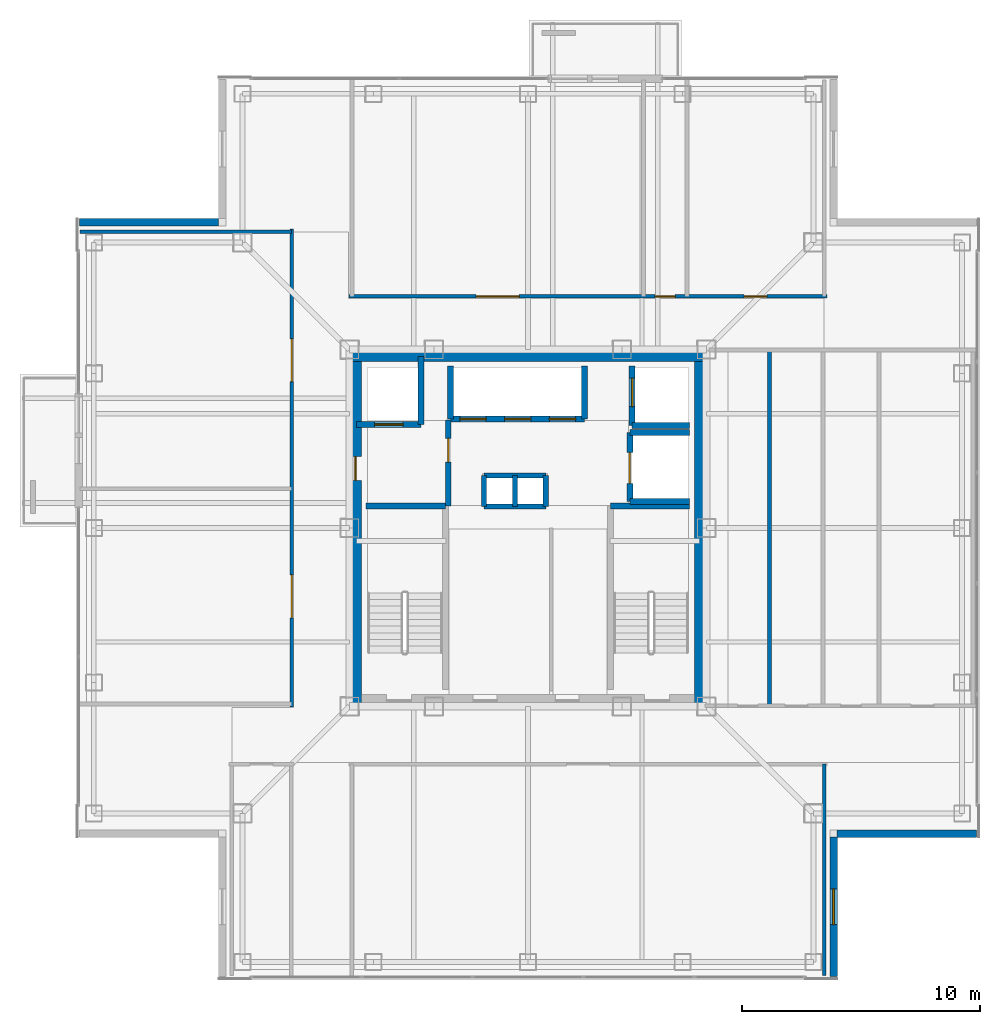
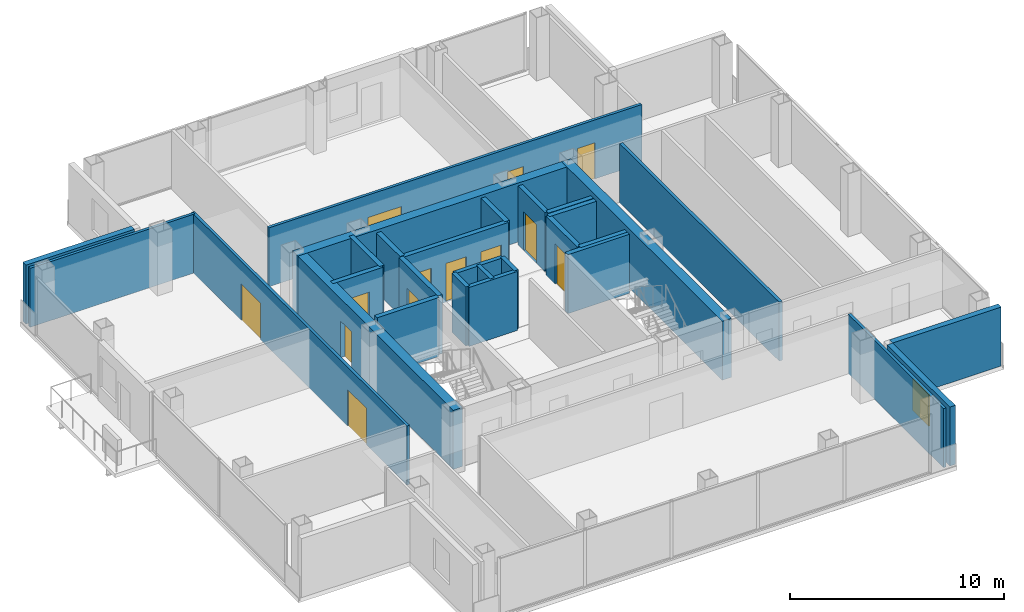
# One storey, part 9 of 13: 29 walls, 13 doors, 1 window, 14 openings.
"""IFC4 building model written with IfcOpenShell, lengths in metres."""

from ifc_helpers import new_model, si_unit, direction, frame, frame_2d, origin, place, context, subcontext, project, spatial, rectangle, extrude, material, layer, layer_set, type_object, element, fill, save


model = new_model("IFC4")

# Units and contexts
model_context = context("Model", 3, precision=1e-05, world=origin(), true_north=direction((0.0, 1.0)))
body_context = subcontext(model_context, "Body", "Model", "MODEL_VIEW")
ifc_project = project(units=[si_unit("LENGTHUNIT", "METRE"), si_unit("AREAUNIT", "SQUARE_METRE"), si_unit("VOLUMEUNIT", "CUBIC_METRE"), si_unit("PLANEANGLEUNIT", "RADIAN"), si_unit("MASSUNIT", "GRAM", prefix="KILO")], contexts=[model_context])

# Site, building, storey
site_placement = place(None, origin())
site = spatial("IfcSite", under=ifc_project, at=site_placement, CompositionType="ELEMENT")
building_placement = place(site_placement, origin())
building = spatial("IfcBuilding", under=site, at=building_placement, Name="Trevonay Congress Spire", CompositionType="ELEMENT")
storey_placement = place(building_placement, frame((0.0, 0.0, 254.0)))
storey = spatial("IfcBuildingStorey", under=building, at=storey_placement, Name="L66", CompositionType="ELEMENT", Elevation=254.0)

# Wall
ifc_material_1 = material(Name="Concrete C50/60", Category="concrete")
ifc_layer_1 = layer(ifc_material_1, 0.5, Name="Concrete C50/60")
ifc_layer_set_1 = layer_set([ifc_layer_1], Name="Concrete C50/60")
wall_type_1 = type_object("IfcWallType", Name="WAL-CORE-500", PredefinedType="SHEAR", material=ifc_layer_set_1)
wall_1_placement = place(storey_placement, frame((-7.5, 7.25, 0.0), z_axis=(0.0, 0.0, 1.0), x_axis=(1.0, 0.0, 0.0)))
element("IfcWall", 1, at=wall_1_placement, inside=storey, type_object=wall_type_1, Name="L66 North structural core shear wall", PredefinedType="SHEAR", context=body_context, shape_type="SweptSolid", body=[
    extrude(rectangle(XDim=15.0, YDim=0.5, at=frame_2d((7.5, 0.0))), origin(), (0.0, 0.0, 1.0), 3.360107421875),
])

# Wall, opening, door
wall_2_placement = place(storey_placement, frame((-7.25, -7.5, 0.0), z_axis=(0.0, 0.0, 1.0), x_axis=(0.0, 1.0, 0.0)))
wall_2 = element("IfcWall", 2, at=wall_2_placement, inside=storey, type_object=wall_type_1, Name="L66 West structural core shear wall", PredefinedType="SHEAR", context=body_context, shape_type="SweptSolid", body=[
    extrude(rectangle(XDim=15.0, YDim=0.5, at=frame_2d((7.5, 0.0))), origin(), (0.0, 0.0, 1.0), 3.360107421875),
])
opening_1_placement = place(wall_2_placement, frame((9.5, 0.0, 0.0)))
opening_1 = element("IfcOpeningElement", 3, at=opening_1_placement, cuts=wall_2, Name="Opening D06", PredefinedType="OPENING", context=body_context, shape_type="SweptSolid", body=[
    extrude(rectangle(XDim=1.0, YDim=2.080078125, at=frame_2d((0.5, 1.0400390625))), frame((0.0, 0.260009765625, 0.0), z_axis=(0.0, -1.0, 0.0), x_axis=(1.0, 0.0, 0.0)), (0.0, 0.0, 1.0), 0.52001953125),
])
ifc_material_2 = material(Name="Steel ASTM A572 Grade 50", Category="steel")
door_type_1 = type_object("IfcDoorType", Name="DOR-FIRE-100", OperationType="NOTDEFINED", PredefinedType="DOOR", material=ifc_material_2)
door_1_placement = place(opening_1_placement, origin())
door_1 = element("IfcDoor", 4, at=door_1_placement, inside=storey, type_object=door_type_1, Name="L66 Firefighting Lift Lobby West Corridor Door", OperationType="SINGLE_SWING_LEFT", OverallHeight=2.080078125, OverallWidth=1.0, PredefinedType="DOOR", context=body_context, shape_type="SweptSolid", body=[
    extrude(rectangle(XDim=1.0, YDim=2.080078125, at=frame_2d((0.5, 1.0400390625))), frame((0.0, 0.02490234375, 0.0), z_axis=(0.0, -1.0, 0.0), x_axis=(1.0, 0.0, 0.0)), (0.0, 0.0, 1.0), 0.050048828125),
])
fill(opening_1, door_1)

# Wall
wall_3_placement = place(storey_placement, frame((7.25, -7.5, 0.0), z_axis=(0.0, 0.0, 1.0), x_axis=(0.0, 1.0, 0.0)))
element("IfcWall", 5, at=wall_3_placement, inside=storey, type_object=wall_type_1, Name="L66 East structural core shear wall", PredefinedType="SHEAR", context=body_context, shape_type="SweptSolid", body=[
    extrude(rectangle(XDim=15.0, YDim=0.5, at=frame_2d((7.5, 0.0))), origin(), (0.0, 0.0, 1.0), 3.360107421875),
])

# Wall, openings, doors
ifc_material_3 = material(Name="Concrete C40/50", Category="concrete")
ifc_layer_2 = layer(ifc_material_3, 0.14990234375, Name="Concrete C40/50")
ifc_layer_set_2 = layer_set([ifc_layer_2], Name="Concrete C40/50")
wall_type_2 = type_object("IfcWallType", Name="WAL-CORR-150", PredefinedType="PARTITIONING", material=ifc_layer_set_2)
wall_4_placement = place(storey_placement, frame((-9.929931640625, -7.52001953125, 0.0), z_axis=(0.0, 0.0, 1.0), x_axis=(0.0, 1.0, 0.0)))
wall_4 = element("IfcWall", 6, at=wall_4_placement, inside=storey, type_object=wall_type_2, Name="L66 interior wall WP-L66NW-COR", PredefinedType="PARTITIONING", context=body_context, shape_type="SweptSolid", body=[
    extrude(rectangle(XDim=20.090087890625, YDim=0.14990234375, at=frame_2d((10.044921875, 0.0))), origin(), (0.0, 0.0, 1.0), 3.360107421875),
])
opening_2_placement = place(wall_4_placement, frame((3.7451171875, 0.0, 0.0)))
opening_2 = element("IfcOpeningElement", 7, at=opening_2_placement, cuts=wall_4, Name="Opening D09", PredefinedType="OPENING", context=body_context, shape_type="SweptSolid", body=[
    extrude(rectangle(XDim=1.800048828125, YDim=2.080078125, at=frame_2d((0.89990234375, 1.0400390625))), frame((0.0, 0.0849609375, 0.0), z_axis=(0.0, -1.0, 0.0), x_axis=(1.0, 0.0, 0.0)), (0.0, 0.0, 1.0), 0.169921875),
])
opening_3_placement = place(wall_4_placement, frame((13.669921875, 0.0, 0.0)))
opening_3 = element("IfcOpeningElement", 8, at=opening_3_placement, cuts=wall_4, Name="Opening D09", PredefinedType="OPENING", context=body_context, shape_type="SweptSolid", body=[
    extrude(rectangle(XDim=1.800048828125, YDim=2.080078125, at=frame_2d((0.89990234375, 1.0400390625))), frame((0.0, 0.0849609375, 0.0), z_axis=(0.0, -1.0, 0.0), x_axis=(1.0, 0.0, 0.0)), (0.0, 0.0, 1.0), 0.169921875),
])
ifc_material_4 = material(Name="Pale Anodised Aluminium EN AW-6063-T6", Category="aluminium")
door_type_2 = type_object("IfcDoorType", Name="DOR-CONF-DBL", OperationType="DOUBLE_DOOR_SINGLE_SWING", PredefinedType="DOOR", material=ifc_material_4)
door_2_placement = place(opening_2_placement, origin())
door_2 = element("IfcDoor", 9, at=door_2_placement, inside=storey, type_object=door_type_2, Name="L66 State Culinary Hot Kitchen Door", OperationType="DOUBLE_DOOR_SINGLE_SWING", OverallHeight=2.080078125, OverallWidth=1.800048828125, PredefinedType="DOOR", context=body_context, shape_type="SweptSolid", body=[
    extrude(rectangle(XDim=1.800048828125, YDim=2.080078125, at=frame_2d((0.89990234375, 1.0400390625))), frame((0.0, 0.02490234375, 0.0), z_axis=(0.0, -1.0, 0.0), x_axis=(1.0, 0.0, 0.0)), (0.0, 0.0, 1.0), 0.050048828125),
])
fill(opening_2, door_2)
door_3_placement = place(opening_3_placement, origin())
door_3 = element("IfcDoor", 10, at=door_3_placement, inside=storey, type_object=door_type_2, Name="L66 Cold Larder and Bakery Kitchen Door", OperationType="DOUBLE_DOOR_SINGLE_SWING", OverallHeight=2.080078125, OverallWidth=1.800048828125, PredefinedType="DOOR", context=body_context, shape_type="SweptSolid", body=[
    extrude(rectangle(XDim=1.800048828125, YDim=2.080078125, at=frame_2d((0.89990234375, 1.0400390625))), frame((0.0, 0.02490234375, 0.0), z_axis=(0.0, -1.0, 0.0), x_axis=(1.0, 0.0, 0.0)), (0.0, 0.0, 1.0), 0.050048828125),
])
fill(opening_3, door_3)

wall_5_placement = place(storey_placement, frame((-7.52001953125, 9.72998046875, 0.0), z_axis=(0.0, 0.0, 1.0), x_axis=(1.0, 0.0, 0.0)))
wall_5 = element("IfcWall", 11, at=wall_5_placement, inside=storey, type_object=wall_type_2, Name="L66 interior wall WP-L66N-COR", PredefinedType="PARTITIONING", context=body_context, shape_type="SweptSolid", body=[
    extrude(rectangle(XDim=20.090087890625, YDim=0.14990234375, at=frame_2d((10.044921875, 0.0))), origin(), (0.0, 0.0, 1.0), 3.360107421875),
])
opening_4_placement = place(wall_5_placement, frame((5.344970703125, 0.0, 0.0)))
opening_4 = element("IfcOpeningElement", 12, at=opening_4_placement, cuts=wall_5, Name="Opening D09", PredefinedType="OPENING", context=body_context, shape_type="SweptSolid", body=[
    extrude(rectangle(XDim=1.800048828125, YDim=2.080078125, at=frame_2d((0.89990234375, 1.0400390625))), frame((0.0, 0.0849609375, 0.0), z_axis=(0.0, -1.0, 0.0), x_axis=(1.0, 0.0, 0.0)), (0.0, 0.0, 1.0), 0.169921875),
])
opening_5_placement = place(wall_5_placement, frame((12.860107421875, 0.0, 0.0)))
opening_5 = element("IfcOpeningElement", 13, at=opening_5_placement, cuts=wall_5, Name="Opening D10", PredefinedType="OPENING", context=body_context, shape_type="SweptSolid", body=[
    extrude(rectangle(XDim=0.85009765625, YDim=2.050048828125, at=frame_2d((0.425048828125, 1.02490234375))), frame((0.0, 0.0849609375, 0.0), z_axis=(0.0, -1.0, 0.0), x_axis=(1.0, 0.0, 0.0)), (0.0, 0.0, 1.0), 0.169921875),
])
opening_6_placement = place(wall_5_placement, frame((16.610107421875, 0.0, 0.0)))
opening_6 = element("IfcOpeningElement", 14, at=opening_6_placement, cuts=wall_5, Name="Opening D07", PredefinedType="OPENING", context=body_context, shape_type="SweptSolid", body=[
    extrude(rectangle(XDim=0.949951171875, YDim=2.06005859375, at=frame_2d((0.47509765625, 1.030029296875))), frame((0.0, 0.0849609375, 0.0), z_axis=(0.0, -1.0, 0.0), x_axis=(1.0, 0.0, 0.0)), (0.0, 0.0, 1.0), 0.169921875),
])
door_4_placement = place(opening_4_placement, origin())
door_4 = element("IfcDoor", 15, at=door_4_placement, inside=storey, type_object=door_type_2, Name="L66 Sky Cocktail Lounge Bar Door", OperationType="DOUBLE_DOOR_SINGLE_SWING", OverallHeight=2.080078125, OverallWidth=1.800048828125, PredefinedType="DOOR", context=body_context, shape_type="SweptSolid", body=[
    extrude(rectangle(XDim=1.800048828125, YDim=2.080078125, at=frame_2d((0.89990234375, 1.0400390625))), frame((0.0, 0.02490234375, 0.0), z_axis=(0.0, -1.0, 0.0), x_axis=(1.0, 0.0, 0.0)), (0.0, 0.0, 1.0), 0.050048828125),
])
fill(opening_4, door_4)
door_type_3 = type_object("IfcDoorType", Name="DOR-OFFICE-95", OperationType="NOTDEFINED", PredefinedType="DOOR", material=ifc_material_4)
door_5_placement = place(opening_6_placement, origin())
door_5 = element("IfcDoor", 16, at=door_5_placement, inside=storey, type_object=door_type_3, Name="L66 Floor Supplies and Copy Room Door", OperationType="SINGLE_SWING_LEFT", OverallHeight=2.06005859375, OverallWidth=0.949951171875, PredefinedType="DOOR", context=body_context, shape_type="SweptSolid", body=[
    extrude(rectangle(XDim=0.949951171875, YDim=2.06005859375, at=frame_2d((0.47509765625, 1.030029296875))), frame((0.0, 0.02490234375, 0.0), z_axis=(0.0, -1.0, 0.0), x_axis=(1.0, 0.0, 0.0)), (0.0, 0.0, 1.0), 0.050048828125),
])
fill(opening_6, door_5)
door_type_4 = type_object("IfcDoorType", Name="DOR-WC-85", OperationType="NOTDEFINED", PredefinedType="DOOR", material=ifc_material_4)
door_6_placement = place(opening_5_placement, origin())
door_6 = element("IfcDoor", 17, at=door_6_placement, inside=storey, type_object=door_type_4, Name="L66 Accessible WC Door", OperationType="SINGLE_SWING_RIGHT", OverallHeight=2.050048828125, OverallWidth=0.85009765625, PredefinedType="DOOR", context=body_context, shape_type="SweptSolid", body=[
    extrude(rectangle(XDim=0.85009765625, YDim=2.050048828125, at=frame_2d((0.425048828125, 1.02490234375))), frame((0.0, 0.02490234375, 0.0), z_axis=(0.0, -1.0, 0.0), x_axis=(1.0, 0.0, 0.0)), (0.0, 0.0, 1.0), 0.050048828125),
])
fill(opening_5, door_6)

# Wall, opening, window
ifc_material_5 = material(Name="Precast concrete C40/50", Category="concrete")
ifc_layer_3 = layer(ifc_material_5, 0.300048828125, Name="Precast concrete C40/50")
ifc_layer_set_3 = layer_set([ifc_layer_3], Name="Precast concrete C40/50")
wall_type_3 = type_object("IfcWallType", Name="WAL-EXT-PRECAST-300", PredefinedType="SOLIDWALL", material=ifc_layer_set_3)
wall_6_placement = place(storey_placement, frame((12.85009765625, -18.85009765625, 0.0), z_axis=(0.0, 0.0, 1.0), x_axis=(0.0, 1.0, 0.0)))
wall_6 = element("IfcWall", 18, at=wall_6_placement, inside=storey, type_object=wall_type_3, Name="L66 SE re-entrant notch exterior wall 1", PredefinedType="SOLIDWALL", context=body_context, shape_type="SweptSolid", body=[
    extrude(rectangle(XDim=5.85009765625, YDim=0.300048828125, at=frame_2d((2.925048828125, 0.0))), origin(), (0.0, 0.0, 1.0), 3.360107421875),
])
opening_7_placement = place(wall_6_placement, frame((2.175048828125, 0.0, 0.89990234375)))
opening_7 = element("IfcOpeningElement", 19, at=opening_7_placement, cuts=wall_6, Name="Opening WN03", PredefinedType="OPENING", context=body_context, shape_type="SweptSolid", body=[
    extrude(rectangle(XDim=1.5, YDim=1.800048828125, at=frame_2d((0.75, 0.89990234375))), frame((0.0, 0.16015625, 0.0), z_axis=(0.0, -1.0, 0.0), x_axis=(1.0, 0.0, 0.0)), (0.0, 0.0, 1.0), 0.320068359375),
])
ifc_material_6 = material(Name="Insulated Low-E Vision Glass IGU", Category="glass")
window_type = type_object("IfcWindowType", Name="WIN-NOTCH-150X180", PartitioningType="SINGLE_PANEL", PredefinedType="WINDOW", material=ifc_material_6)
window_placement = place(opening_7_placement, origin())
window = element("IfcWindow", 20, at=window_placement, inside=storey, type_object=window_type, Name="L66 SE corner notch window", OverallHeight=1.800048828125, OverallWidth=1.5, PartitioningType="SINGLE_PANEL", PredefinedType="WINDOW", context=body_context, shape_type="SweptSolid", body=[
    extrude(rectangle(XDim=1.5, YDim=1.800048828125, at=frame_2d((0.75, 0.89990234375))), frame((0.0, 0.030029296875, 0.0), z_axis=(0.0, -1.0, 0.0), x_axis=(1.0, 0.0, 0.0)), (0.0, 0.0, 1.0), 0.06005859375),
])
fill(opening_7, window)

# Walls
for number, where, z_axis, x_axis, name in (
    (21, (18.85009765625, -12.85009765625, 0.0), (0.0, 0.0, 1.0), (-1.0, 0.0, 0.0), "L66 SE re-entrant notch exterior wall 2"),
    (22, (-18.85009765625, 12.85009765625, 0.0), (0.0, 0.0, 1.0), (1.0, 0.0, 0.0), "L66 NW re-entrant notch exterior wall 2"),
):
    element("IfcWall", number, at=place(storey_placement, frame(where, z_axis=z_axis, x_axis=x_axis)), inside=storey, type_object=wall_type_3, Name=name, PredefinedType="SOLIDWALL", context=body_context, shape_type="SweptSolid", body=[
        extrude(rectangle(XDim=5.85009765625, YDim=0.300048828125, at=frame_2d((2.925048828125, 0.0))), origin(), (0.0, 0.0, 1.0), 3.360107421875),
    ])
ifc_layer_4 = layer(ifc_material_3, 0.14990234375, Name="Concrete C40/50")
ifc_layer_set_4 = layer_set([ifc_layer_4], Name="Concrete C40/50")
wall_type_4 = type_object("IfcWallType", Name="WAL-PART-150", PredefinedType="PARTITIONING", material=ifc_layer_set_4)
for number, where, z_axis, x_axis, name in (
    (23, (12.449951171875, -18.820068359375, 0.0), (0.0, 0.0, 1.0), (0.0, 1.0, 0.0), "L66 interior wall WP-L66SE-DIV2"),
    (24, (-18.820068359375, 12.449951171875, 0.0), (0.0, 0.0, 1.0), (1.0, 0.0, 0.0), "L66 interior wall WP-L66NW-DIV3"),
):
    element("IfcWall", number, at=place(storey_placement, frame(where, z_axis=z_axis, x_axis=x_axis)), inside=storey, type_object=wall_type_4, Name=name, PredefinedType="PARTITIONING", context=body_context, shape_type="SweptSolid", body=[
        extrude(rectangle(XDim=8.89013671875, YDim=0.14990234375, at=frame_2d((4.445068359375, 0.0))), origin(), (0.0, 0.0, 1.0), 3.360107421875),
    ])
ifc_layer_5 = layer(ifc_material_3, 0.219970703125, Name="Concrete C40/50")
ifc_layer_set_5 = layer_set([ifc_layer_5], Name="Concrete C40/50")
wall_type_5 = type_object("IfcWallType", Name="WAL-SHAFT-220", PredefinedType="PARTITIONING", material=ifc_layer_set_5)
for number, where, z_axis, x_axis, name in (
    (25, (-1.85009765625, 2.199951171875, 0.0), (0.0, 0.0, 1.0), (1.0, 0.0, 0.0), "L66 interior shaft wall WSH-L66-RSR-N"),
    (26, (-1.85009765625, 0.89990234375, 0.0), (0.0, 0.0, 1.0), (1.0, 0.0, 0.0), "L66 interior shaft wall WSH-L66-RSR-S"),
):
    element("IfcWall", number, at=place(storey_placement, frame(where, z_axis=z_axis, x_axis=x_axis)), inside=storey, type_object=wall_type_5, Name=name, PredefinedType="PARTITIONING", context=body_context, shape_type="SweptSolid", body=[
        extrude(rectangle(XDim=2.60009765625, YDim=0.219970703125, at=frame_2d((1.300048828125, 0.0))), origin(), (0.0, 0.0, 1.0), 3.360107421875),
    ])
for number, where, z_axis, x_axis, name in (
    (27, (-0.550048828125, 0.89990234375, 0.0), (0.0, 0.0, 1.0), (0.0, 1.0, 0.0), "L66 interior shaft wall WSH-L66-RSR-M"),
    (28, (0.75, 0.89990234375, 0.0), (0.0, 0.0, 1.0), (0.0, 1.0, 0.0), "L66 interior shaft wall WSH-L66-RSR-E"),
    (29, (-1.85009765625, 0.89990234375, 0.0), (0.0, 0.0, 1.0), (0.0, 1.0, 0.0), "L66 interior shaft wall WSH-L66-RSR-W"),
):
    element("IfcWall", number, at=place(storey_placement, frame(where, z_axis=z_axis, x_axis=x_axis)), inside=storey, type_object=wall_type_5, Name=name, PredefinedType="PARTITIONING", context=body_context, shape_type="SweptSolid", body=[
        extrude(rectangle(XDim=1.300048828125, YDim=0.219970703125, at=frame_2d((0.64990234375, 0.0))), origin(), (0.0, 0.0, 1.0), 3.360107421875),
    ])

# Wall, openings, doors
ifc_layer_6 = layer(ifc_material_3, 0.25, Name="Concrete C40/50")
ifc_layer_set_6 = layer_set([ifc_layer_6], Name="Concrete C40/50")
wall_type_6 = type_object("IfcWallType", Name="WAL-SHAFT-250", PredefinedType="SHEAR", material=ifc_layer_set_6)
wall_7_placement = place(storey_placement, frame((-3.260009765625, 4.580078125, 0.0), z_axis=(0.0, 0.0, 1.0), x_axis=(1.0, 0.0, 0.0)))
wall_7 = element("IfcWall", 30, at=wall_7_placement, inside=storey, type_object=wall_type_6, Name="L66 interior shaft wall WSH-L66-B3-S", PredefinedType="SHEAR", context=body_context, shape_type="SweptSolid", body=[
    extrude(rectangle(XDim=5.639892578125, YDim=0.25, at=frame_2d((2.81982421875, 0.0))), origin(), (0.0, 0.0, 1.0), 3.360107421875),
])
opening_8_placement = place(wall_7_placement, frame((0.39990234375, 0.0, 0.0)))
opening_8 = element("IfcOpeningElement", 31, at=opening_8_placement, cuts=wall_7, Name="Opening LD03", PredefinedType="OPENING", context=body_context, shape_type="SweptSolid", body=[
    extrude(rectangle(XDim=1.10009765625, YDim=2.199951171875, at=frame_2d((0.550048828125, 1.10009765625))), frame((0.0, 0.135009765625, 0.0), z_axis=(0.0, -1.0, 0.0), x_axis=(1.0, 0.0, 0.0)), (0.0, 0.0, 1.0), 0.27001953125),
])
opening_9_placement = place(wall_7_placement, frame((2.280029296875, 0.0, 0.0)))
opening_9 = element("IfcOpeningElement", 32, at=opening_9_placement, cuts=wall_7, Name="Opening LD03", PredefinedType="OPENING", context=body_context, shape_type="SweptSolid", body=[
    extrude(rectangle(XDim=1.10009765625, YDim=2.199951171875, at=frame_2d((0.550048828125, 1.10009765625))), frame((0.0, 0.135009765625, 0.0), z_axis=(0.0, -1.0, 0.0), x_axis=(1.0, 0.0, 0.0)), (0.0, 0.0, 1.0), 0.27001953125),
])
opening_10_placement = place(wall_7_placement, frame((4.159912109375, 0.0, 0.0)))
opening_10 = element("IfcOpeningElement", 33, at=opening_10_placement, cuts=wall_7, Name="Opening LD03", PredefinedType="OPENING", context=body_context, shape_type="SweptSolid", body=[
    extrude(rectangle(XDim=1.10009765625, YDim=2.199951171875, at=frame_2d((0.550048828125, 1.10009765625))), frame((0.0, 0.135009765625, 0.0), z_axis=(0.0, -1.0, 0.0), x_axis=(1.0, 0.0, 0.0)), (0.0, 0.0, 1.0), 0.27001953125),
])
door_type_5 = type_object("IfcDoorType", Name="DOR-LIFT-LD03", OperationType="DOUBLE_DOOR_SLIDING", PredefinedType="DOOR", material=ifc_material_4)
door_7_placement = place(opening_8_placement, origin())
door_7 = element("IfcDoor", 34, at=door_7_placement, inside=storey, type_object=door_type_5, Name="L66 Passenger lift PL-07 landing door", OperationType="DOUBLE_DOOR_SLIDING", OverallHeight=2.199951171875, OverallWidth=1.10009765625, PredefinedType="DOOR", context=body_context, shape_type="SweptSolid", body=[
    extrude(rectangle(XDim=1.10009765625, YDim=2.199951171875, at=frame_2d((0.550048828125, 1.10009765625))), frame((0.0, 0.02490234375, 0.0), z_axis=(0.0, -1.0, 0.0), x_axis=(1.0, 0.0, 0.0)), (0.0, 0.0, 1.0), 0.050048828125),
])
fill(opening_8, door_7)
door_8_placement = place(opening_9_placement, origin())
door_8 = element("IfcDoor", 35, at=door_8_placement, inside=storey, type_object=door_type_5, Name="L66 Passenger lift PL-08 landing door", OperationType="DOUBLE_DOOR_SLIDING", OverallHeight=2.199951171875, OverallWidth=1.10009765625, PredefinedType="DOOR", context=body_context, shape_type="SweptSolid", body=[
    extrude(rectangle(XDim=1.10009765625, YDim=2.199951171875, at=frame_2d((0.550048828125, 1.10009765625))), frame((0.0, 0.02490234375, 0.0), z_axis=(0.0, -1.0, 0.0), x_axis=(1.0, 0.0, 0.0)), (0.0, 0.0, 1.0), 0.050048828125),
])
fill(opening_9, door_8)
door_9_placement = place(opening_10_placement, origin())
door_9 = element("IfcDoor", 36, at=door_9_placement, inside=storey, type_object=door_type_5, Name="L66 Passenger lift PL-09 landing door", OperationType="DOUBLE_DOOR_SLIDING", OverallHeight=2.199951171875, OverallWidth=1.10009765625, PredefinedType="DOOR", context=body_context, shape_type="SweptSolid", body=[
    extrude(rectangle(XDim=1.10009765625, YDim=2.199951171875, at=frame_2d((0.550048828125, 1.10009765625))), frame((0.0, 0.02490234375, 0.0), z_axis=(0.0, -1.0, 0.0), x_axis=(1.0, 0.0, 0.0)), (0.0, 0.0, 1.0), 0.050048828125),
])
fill(opening_10, door_9)

# Walls
for number, where, z_axis, x_axis, name in (
    (37, (-3.260009765625, 4.580078125, 0.0), (0.0, 0.0, 1.0), (0.0, 1.0, 0.0), "L66 interior shaft wall WSH-L66-B3-W"),
    (38, (2.3798828125, 4.580078125, 0.0), (0.0, 0.0, 1.0), (0.0, 1.0, 0.0), "L66 interior shaft wall WSH-L66-B3-E"),
):
    element("IfcWall", number, at=place(storey_placement, frame(where, z_axis=z_axis, x_axis=x_axis)), inside=storey, type_object=wall_type_6, Name=name, PredefinedType="SHEAR", context=body_context, shape_type="SweptSolid", body=[
        extrude(rectangle(XDim=2.219970703125, YDim=0.25, at=frame_2d((1.10986328125, 0.0))), origin(), (0.0, 0.0, 1.0), 3.360107421875),
    ])

# Wall, opening, door
wall_8_placement = place(storey_placement, frame((-7.199951171875, 4.35009765625, 0.0), z_axis=(0.0, 0.0, 1.0), x_axis=(1.0, 0.0, 0.0)))
wall_8 = element("IfcWall", 39, at=wall_8_placement, inside=storey, type_object=wall_type_6, Name="L66 interior shaft wall WSH-L66-FF1-S", PredefinedType="SHEAR", context=body_context, shape_type="SweptSolid", body=[
    extrude(rectangle(XDim=2.699951171875, YDim=0.25, at=frame_2d((1.35009765625, 0.0))), origin(), (0.0, 0.0, 1.0), 3.360107421875),
])
opening_11_placement = place(wall_8_placement, frame((0.75, 0.0, 0.0)))
opening_11 = element("IfcOpeningElement", 40, at=opening_11_placement, cuts=wall_8, Name="Opening LD04", PredefinedType="OPENING", context=body_context, shape_type="SweptSolid", body=[
    extrude(rectangle(XDim=1.199951171875, YDim=2.199951171875, at=frame_2d((0.60009765625, 1.10009765625))), frame((0.0, 0.135009765625, 0.0), z_axis=(0.0, -1.0, 0.0), x_axis=(1.0, 0.0, 0.0)), (0.0, 0.0, 1.0), 0.27001953125),
])
door_type_6 = type_object("IfcDoorType", Name="DOR-LIFT-LD04", OperationType="DOUBLE_DOOR_SLIDING", PredefinedType="DOOR", material=ifc_material_2)
door_10_placement = place(opening_11_placement, origin())
door_10 = element("IfcDoor", 41, at=door_10_placement, inside=storey, type_object=door_type_6, Name="L66 Firefighting lift FFL-01 landing door", OperationType="DOUBLE_DOOR_SLIDING", OverallHeight=2.199951171875, OverallWidth=1.199951171875, PredefinedType="DOOR", context=body_context, shape_type="SweptSolid", body=[
    extrude(rectangle(XDim=1.199951171875, YDim=2.199951171875, at=frame_2d((0.60009765625, 1.10009765625))), frame((0.0, 0.02490234375, 0.0), z_axis=(0.0, -1.0, 0.0), x_axis=(1.0, 0.0, 0.0)), (0.0, 0.0, 1.0), 0.050048828125),
])
fill(opening_11, door_10)

# Walls
wall_9_placement = place(storey_placement, frame((-4.5, 4.35009765625, 0.0), z_axis=(0.0, 0.0, 1.0), x_axis=(0.0, 1.0, 0.0)))
element("IfcWall", 42, at=wall_9_placement, inside=storey, type_object=wall_type_6, Name="L66 interior shaft wall WSH-L66-FF1-E", PredefinedType="SHEAR", context=body_context, shape_type="SweptSolid", body=[
    extrude(rectangle(XDim=2.849853515625, YDim=0.25, at=frame_2d((1.4248046875, 0.0))), origin(), (0.0, 0.0, 1.0), 3.360107421875),
])
wall_10_placement = place(storey_placement, frame((4.3798828125, 4.300048828125, 0.0), z_axis=(0.0, 0.0, 1.0), x_axis=(1.0, 0.0, 0.0)))
element("IfcWall", 43, at=wall_10_placement, inside=storey, type_object=wall_type_6, Name="L66 interior shaft wall WSH-L66-FF2-S", PredefinedType="SHEAR", context=body_context, shape_type="SweptSolid", body=[
    extrude(rectangle(XDim=2.420166015625, YDim=0.25, at=frame_2d((1.2099609375, 0.0))), origin(), (0.0, 0.0, 1.0), 3.360107421875),
])

# Wall, opening, door
wall_11_placement = place(storey_placement, frame((4.3798828125, 4.300048828125, 0.0), z_axis=(0.0, 0.0, 1.0), x_axis=(0.0, 1.0, 0.0)))
wall_11 = element("IfcWall", 44, at=wall_11_placement, inside=storey, type_object=wall_type_6, Name="L66 interior shaft wall WSH-L66-FF2-W", PredefinedType="SHEAR", context=body_context, shape_type="SweptSolid", body=[
    extrude(rectangle(XDim=2.5, YDim=0.25, at=frame_2d((1.25, 0.0))), origin(), (0.0, 0.0, 1.0), 3.360107421875),
])
opening_12_placement = place(wall_11_placement, frame((0.800048828125, 0.0, 0.0)))
opening_12 = element("IfcOpeningElement", 45, at=opening_12_placement, cuts=wall_11, Name="Opening LD04", PredefinedType="OPENING", context=body_context, shape_type="SweptSolid", body=[
    extrude(rectangle(XDim=1.199951171875, YDim=2.199951171875, at=frame_2d((0.60009765625, 1.10009765625))), frame((0.0, 0.135009765625, 0.0), z_axis=(0.0, -1.0, 0.0), x_axis=(1.0, 0.0, 0.0)), (0.0, 0.0, 1.0), 0.27001953125),
])
door_11_placement = place(opening_12_placement, origin())
door_11 = element("IfcDoor", 46, at=door_11_placement, inside=storey, type_object=door_type_6, Name="L66 Firefighting lift FFL-02 landing door", OperationType="DOUBLE_DOOR_SLIDING", OverallHeight=2.199951171875, OverallWidth=1.199951171875, PredefinedType="DOOR", context=body_context, shape_type="SweptSolid", body=[
    extrude(rectangle(XDim=1.199951171875, YDim=2.199951171875, at=frame_2d((0.60009765625, 1.10009765625))), frame((0.0, 0.02490234375, 0.0), z_axis=(0.0, -1.0, 0.0), x_axis=(1.0, 0.0, 0.0)), (0.0, 0.0, 1.0), 0.050048828125),
])
fill(opening_12, door_11)

wall_12_placement = place(storey_placement, frame((4.280029296875, 1.1201171875, 0.0), z_axis=(0.0, 0.0, 1.0), x_axis=(0.0, 1.0, 0.0)))
wall_12 = element("IfcWall", 47, at=wall_12_placement, inside=storey, type_object=wall_type_6, Name="L66 interior shaft wall WSH-L66-SV-W", PredefinedType="SHEAR", context=body_context, shape_type="SweptSolid", body=[
    extrude(rectangle(XDim=2.89990234375, YDim=0.25, at=frame_2d((1.449951171875, 0.0))), origin(), (0.0, 0.0, 1.0), 3.360107421875),
])
opening_13_placement = place(wall_12_placement, frame((0.75, 0.0, 0.0)))
opening_13 = element("IfcOpeningElement", 48, at=opening_13_placement, cuts=wall_12, Name="Opening LD05", PredefinedType="OPENING", context=body_context, shape_type="SweptSolid", body=[
    extrude(rectangle(XDim=1.300048828125, YDim=2.300048828125, at=frame_2d((0.64990234375, 1.14990234375))), frame((0.0, 0.135009765625, 0.0), z_axis=(0.0, -1.0, 0.0), x_axis=(1.0, 0.0, 0.0)), (0.0, 0.0, 1.0), 0.27001953125),
])
door_type_7 = type_object("IfcDoorType", Name="DOR-LIFT-LD05", OperationType="DOUBLE_DOOR_SLIDING", PredefinedType="DOOR", material=ifc_material_2)
door_12_placement = place(opening_13_placement, origin())
door_12 = element("IfcDoor", 49, at=door_12_placement, inside=storey, type_object=door_type_7, Name="L66 Goods lift SVL-01 landing door", OperationType="DOUBLE_DOOR_SLIDING", OverallHeight=2.300048828125, OverallWidth=1.300048828125, PredefinedType="DOOR", context=body_context, shape_type="SweptSolid", body=[
    extrude(rectangle(XDim=1.300048828125, YDim=2.300048828125, at=frame_2d((0.64990234375, 1.14990234375))), frame((0.0, 0.02490234375, 0.0), z_axis=(0.0, -1.0, 0.0), x_axis=(1.0, 0.0, 0.0)), (0.0, 0.0, 1.0), 0.050048828125),
])
fill(opening_13, door_12)

# Walls
for number, where, z_axis, x_axis, name in (
    (50, (4.280029296875, 1.1201171875, 0.0), (0.0, 0.0, 1.0), (1.0, 0.0, 0.0), "L66 interior shaft wall WSH-L66-SV-S"),
    (51, (4.280029296875, 4.02001953125, 0.0), (0.0, 0.0, 1.0), (1.0, 0.0, 0.0), "L66 interior shaft wall WSH-L66-SV-N"),
):
    element("IfcWall", number, at=place(storey_placement, frame(where, z_axis=z_axis, x_axis=x_axis)), inside=storey, type_object=wall_type_6, Name=name, PredefinedType="SHEAR", context=body_context, shape_type="SweptSolid", body=[
        extrude(rectangle(XDim=2.52001953125, YDim=0.25, at=frame_2d((1.260009765625, 0.0))), origin(), (0.0, 0.0, 1.0), 3.360107421875),
    ])

# Wall, opening, door
wall_13_placement = place(storey_placement, frame((-3.35009765625, 0.919921875, 0.0), z_axis=(0.0, 0.0, 1.0), x_axis=(0.0, 1.0, 0.0)))
wall_13 = element("IfcWall", 52, at=wall_13_placement, inside=storey, type_object=wall_type_6, Name="L66 interior wall CW-FFLW-E-L66", PredefinedType="SHEAR", context=body_context, shape_type="SweptSolid", body=[
    extrude(rectangle(XDim=3.6201171875, YDim=0.25, at=frame_2d((1.81005859375, 0.0))), origin(), (0.0, 0.0, 1.0), 3.360107421875),
])
opening_14_placement = place(wall_13_placement, frame((1.85009765625, 0.0, 0.0)))
opening_14 = element("IfcOpeningElement", 53, at=opening_14_placement, cuts=wall_13, Name="Opening D06", PredefinedType="OPENING", context=body_context, shape_type="SweptSolid", body=[
    extrude(rectangle(XDim=1.0, YDim=2.080078125, at=frame_2d((0.5, 1.0400390625))), frame((0.0, 0.135009765625, 0.0), z_axis=(0.0, -1.0, 0.0), x_axis=(1.0, 0.0, 0.0)), (0.0, 0.0, 1.0), 0.27001953125),
])
door_13_placement = place(opening_14_placement, origin())
door_13 = element("IfcDoor", 54, at=door_13_placement, inside=storey, type_object=door_type_1, Name="L66 Firefighting Core Lobby Transfer Door", OperationType="SINGLE_SWING_RIGHT", OverallHeight=2.080078125, OverallWidth=1.0, PredefinedType="DOOR", context=body_context, shape_type="SweptSolid", body=[
    extrude(rectangle(XDim=1.0, YDim=2.080078125, at=frame_2d((0.5, 1.0400390625))), frame((0.0, 0.02490234375, 0.0), z_axis=(0.0, -1.0, 0.0), x_axis=(1.0, 0.0, 0.0)), (0.0, 0.0, 1.0), 0.050048828125),
])
fill(opening_14, door_13)

# Walls
ifc_layer_7 = layer(ifc_material_3, 0.25, Name="Concrete C40/50")
ifc_layer_set_7 = layer_set([ifc_layer_7], Name="Concrete C40/50")
wall_type_7 = type_object("IfcWallType", Name="WAL-SHAFT-LB-250", PredefinedType="SHEAR", material=ifc_layer_set_7)
for number, where, z_axis, x_axis, name in (
    (55, (-6.800048828125, 0.919921875, 0.0), (0.0, 0.0, 1.0), (1.0, 0.0, 0.0), "L66 interior shaft wall WSH-L66-ST1-N"),
    (56, (3.469970703125, 0.919921875, 0.0), (0.0, 0.0, 1.0), (1.0, 0.0, 0.0), "L66 interior shaft wall WSH-L66-ST2-N"),
):
    element("IfcWall", number, at=place(storey_placement, frame(where, z_axis=z_axis, x_axis=x_axis)), inside=storey, type_object=wall_type_7, Name=name, PredefinedType="SHEAR", context=body_context, shape_type="SweptSolid", body=[
        extrude(rectangle(XDim=3.330078125, YDim=0.25, at=frame_2d((1.6650390625, 0.0))), origin(), (0.0, 0.0, 1.0), 3.360107421875),
    ])
ifc_layer_8 = layer(ifc_material_3, 0.1650390625, Name="Concrete C40/50")
ifc_layer_set_8 = layer_set([ifc_layer_8], Name="Concrete C40/50")
wall_type_8 = type_object("IfcWallType", Name="WAL-WET-165", PredefinedType="PLUMBINGWALL", material=ifc_layer_set_8)
wall_14_placement = place(storey_placement, frame((10.159912109375, -7.47998046875, 0.0), z_axis=(0.0, 0.0, 1.0), x_axis=(0.0, 1.0, 0.0)))
element("IfcWall", 57, at=wall_14_placement, inside=storey, type_object=wall_type_8, Name="L66 interior wall WP-L66E-WCS1", PredefinedType="PLUMBINGWALL", context=body_context, shape_type="SweptSolid", body=[
    extrude(rectangle(XDim=14.89990234375, YDim=0.1650390625, at=frame_2d((7.449951171875, 0.0))), origin(), (0.0, 0.0, 1.0), 3.360107421875),
])

save(model, "model.ifc")
